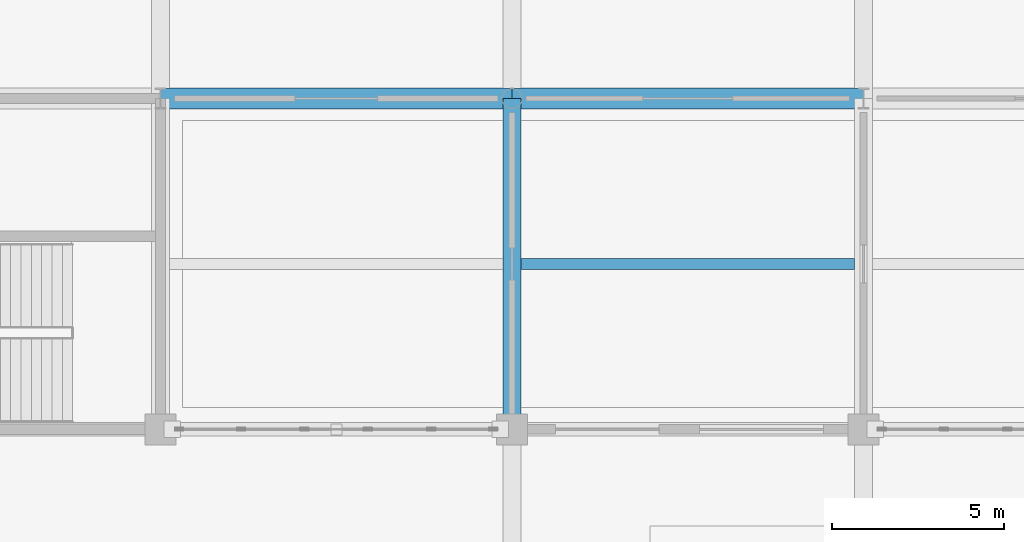
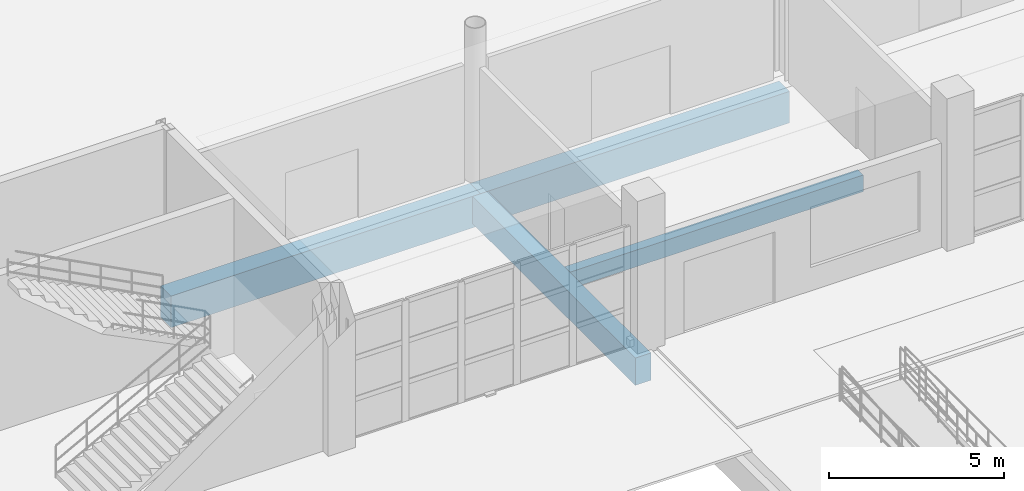
# One storey, part 35 of 124: 4 beams.
"""IFC4 building model written with IfcOpenShell, lengths in metres."""

from ifc_helpers import new_model, si_unit, direction, frame, origin, origin_2d, place, context, subcontext, project, spatial, rectangle, extrude, material, material_profile, profile_set, type_object, element, save


model = new_model("IFC4")

# Units and contexts
model_context = context("Model", 3, precision=1e-05, world=origin(), true_north=direction((0.0, 1.0)))
body_context = subcontext(model_context, "Body", "Model", "MODEL_VIEW")
ifc_project = project(units=[si_unit("LENGTHUNIT", "METRE"), si_unit("AREAUNIT", "SQUARE_METRE"), si_unit("VOLUMEUNIT", "CUBIC_METRE"), si_unit("PLANEANGLEUNIT", "RADIAN"), si_unit("MASSUNIT", "GRAM", prefix="KILO")], contexts=[model_context])

# Site, building, storey
site_placement = place(None, origin())
site = spatial("IfcSite", under=ifc_project, at=site_placement, CompositionType="ELEMENT")
building_placement = place(site_placement, origin())
building = spatial("IfcBuilding", under=site, at=building_placement, Name="Brelvane Convention Centre", CompositionType="ELEMENT")
storey_placement = place(building_placement, origin())
storey = spatial("IfcBuildingStorey", under=building, at=storey_placement, Name="L00", CompositionType="ELEMENT", Elevation=0.0)

# Beams
ifc_material_1 = material(Name="Concrete M50", Category="concrete")
ifc_material_profile_1 = material_profile(ifc_material_1, rectangle(XDim=0.60009765625, YDim=1.10009765625, at=origin_2d()), Name="RC 600x1100")
ifc_profile_set_1 = profile_set([ifc_material_profile_1], Name="Concrete M50")
beam_type_1 = type_object("IfcBeamType", Name="RC Beam B-RC2 (RC 600x1100)", PredefinedType="BEAM", material=ifc_profile_set_1)
for number, where, z_axis, x_axis, name in (
    (1, (91.800048828125, 28.800048828125, -0.949951171875), (1.0, 0.0, 0.0), (0.0, 1.0, 0.0), "L00 Beam 10-11/D"),
    (2, (102.0, 28.800048828125, -0.949951171875), (1.0, 0.0, 0.0), (0.0, 1.0, 0.0), "L00 Beam 11-12/D"),
):
    element("IfcBeam", number, at=place(storey_placement, frame(where, z_axis=z_axis, x_axis=x_axis)), inside=storey, type_object=beam_type_1, Name=name, PredefinedType="BEAM", context=body_context, shape_type="SweptSolid", body=[
        extrude(rectangle(XDim=0.60009765625, YDim=1.10009765625, at=origin_2d()), origin(), (0.0, 0.0, 1.0), 10.199951171875),
    ])
ifc_material_2 = material(Name="Concrete M50", Category="concrete")
ifc_material_profile_2 = material_profile(ifc_material_2, rectangle(XDim=0.52001953125, YDim=0.949951171875, at=origin_2d()), Name="RC 520x950")
ifc_profile_set_2 = profile_set([ifc_material_profile_2], Name="Concrete M50")
beam_type_2 = type_object("IfcBeamType", Name="RC Beam B-RC9 (RC 520x950)", PredefinedType="BEAM", material=ifc_profile_set_2)
beam_1_placement = place(storey_placement, frame((102.0, 19.199951171875, -0.875), z_axis=(0.0, 1.0, 0.0), x_axis=(-1.0, 0.0, 0.0)))
element("IfcBeam", 3, at=beam_1_placement, inside=storey, type_object=beam_type_2, Name="L00 Girder 11/C-D", PredefinedType="BEAM", context=body_context, shape_type="SweptSolid", body=[
    extrude(rectangle(XDim=0.52001953125, YDim=0.949951171875, at=origin_2d()), origin(), (0.0, 0.0, 1.0), 9.60009765625),
])
ifc_material_3 = material(Name="Concrete M40", Category="concrete")
ifc_material_profile_3 = material_profile(ifc_material_3, rectangle(XDim=0.320068359375, YDim=0.580078125, at=origin_2d()), Name="RC 320x580")
ifc_profile_set_3 = profile_set([ifc_material_profile_3], Name="Concrete M40")
beam_type_3 = type_object("IfcBeamType", Name="RC Joist J-RC3 (RC 320x580)", PredefinedType="JOIST", material=ifc_profile_set_3)
beam_2_placement = place(storey_placement, frame((102.260009765625, 24.0, -0.68994140625), z_axis=(1.0, 0.0, 0.0), x_axis=(0.0, 1.0, 0.0)))
element("IfcBeam", 4, at=beam_2_placement, inside=storey, type_object=beam_type_3, Name="L00 Secondary Joist 11-12/CD", PredefinedType="JOIST", context=body_context, shape_type="SweptSolid", body=[
    extrude(rectangle(XDim=0.320068359375, YDim=0.580078125, at=origin_2d()), origin(), (0.0, 0.0, 1.0), 9.679931640625),
])

save(model, "model.ifc")
